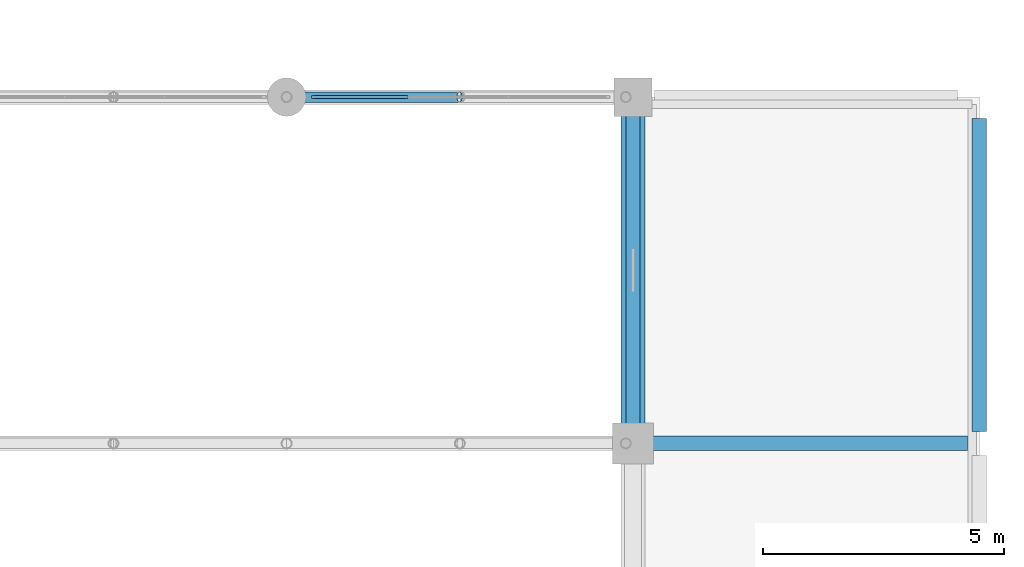
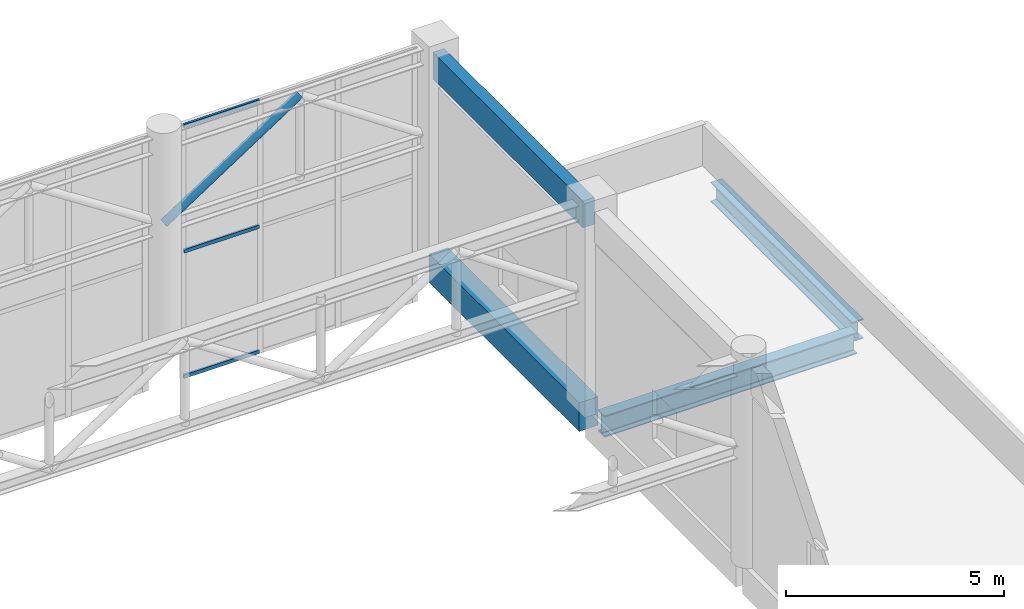
# One storey, part 107 of 153: 4 beams, 4 members, 1 element without a shape of its own.
"""IFC4 building model written with IfcOpenShell, lengths in metres."""

from ifc_helpers import new_model, si_unit, direction, frame, origin, origin_2d, place, context, subcontext, project, spatial, rectangle, hollow_rectangle, hollow_circle, i_section, extrude, material, material_profile, profile_set, type_object, element, aggregate, save


model = new_model("IFC4")

# Units and contexts
model_context = context("Model", 3, precision=1e-05, world=origin(), true_north=direction((0.0, 1.0)))
body_context = subcontext(model_context, "Body", "Model", "MODEL_VIEW")
ifc_project = project(units=[si_unit("LENGTHUNIT", "METRE"), si_unit("AREAUNIT", "SQUARE_METRE"), si_unit("VOLUMEUNIT", "CUBIC_METRE"), si_unit("PLANEANGLEUNIT", "RADIAN"), si_unit("MASSUNIT", "GRAM", prefix="KILO")], contexts=[model_context])

# Site, building, storey
site_placement = place(None, origin())
site = spatial("IfcSite", under=ifc_project, at=site_placement, CompositionType="ELEMENT")
building_placement = place(site_placement, origin())
building = spatial("IfcBuilding", under=site, at=building_placement, Name="Qandorah Velis Arena", CompositionType="ELEMENT")
storey_placement = place(building_placement, frame((0.0, 0.0, 5.39990234375)))
storey = spatial("IfcBuildingStorey", under=building, at=storey_placement, Name="L01", CompositionType="ELEMENT", Elevation=5.39990234375)

# Curtain wall, members
ifc_material_1 = material(Name="Solar-control low-E double glazing", Category="glass")
curtain_wall_type = type_object("IfcCurtainWallType", Name="ARC-CW-SYS20", PredefinedType="USERDEFINED", material=ifc_material_1)
curtain_wall_placement = place(storey_placement, origin())
curtain_wall = element("IfcCurtainWall", 1, at=curtain_wall_placement, inside=storey, type_object=curtain_wall_type, Name="Unitised curtain wall L01-164", ObjectType="UNITISED CURTAIN WALL", PredefinedType="USERDEFINED")
ifc_material_2 = material(Name="Champagne-bronze anodized aluminium 6063-T6", Category="aluminium")
ifc_material_profile_1 = material_profile(ifc_material_2, hollow_rectangle(XDim=0.054931640625, YDim=0.10009765625, WallThickness=0.0029296875, at=origin_2d()), Name="ALU TRANSOM 55x100")
ifc_profile_set_1 = profile_set([ifc_material_profile_1], Name="Champagne-bronze anodized aluminium 6063-T6")
member_type_1 = type_object("IfcMemberType", Name="ARC-CWT-100", PredefinedType="USERDEFINED", material=ifc_profile_set_1)
member_1_placement = place(storey_placement, frame((158.91796875, 122.39990234375, -1.2724609375), z_axis=(1.0, 0.0, 0.0), x_axis=(0.0, 1.0, 0.0)))
member_1 = element("IfcMember", 2, at=member_1_placement, type_object=member_type_1, Name="CW20 transom 1.1", ObjectType="TRANSOM", PredefinedType="USERDEFINED", context=body_context, shape_type="SweptSolid", body=[
    extrude(hollow_rectangle(XDim=0.054931640625, YDim=0.10009765625, WallThickness=0.0029296875, at=origin_2d()), origin(), (0.0, 0.0, 1.0), 2.00830078125),
])
member_2_placement = place(storey_placement, frame((158.91796875, 122.39990234375, 2.239990234375), z_axis=(1.0, 0.0, 0.0), x_axis=(0.0, 1.0, 0.0)))
member_2 = element("IfcMember", 3, at=member_2_placement, type_object=member_type_1, Name="CW20 transom 1.2", ObjectType="TRANSOM", PredefinedType="USERDEFINED", context=body_context, shape_type="SweptSolid", body=[
    extrude(hollow_rectangle(XDim=0.054931640625, YDim=0.10009765625, WallThickness=0.0029296875, at=origin_2d()), origin(), (0.0, 0.0, 1.0), 2.00830078125),
])
member_3_placement = place(storey_placement, frame((158.91796875, 122.39990234375, 5.752685546875), z_axis=(1.0, 0.0, 0.0), x_axis=(0.0, 1.0, 0.0)))
member_3 = element("IfcMember", 4, at=member_3_placement, type_object=member_type_1, Name="CW20 transom 1.3", ObjectType="TRANSOM", PredefinedType="USERDEFINED", context=body_context, shape_type="SweptSolid", body=[
    extrude(hollow_rectangle(XDim=0.054931640625, YDim=0.10009765625, WallThickness=0.0029296875, at=origin_2d()), origin(), (0.0, 0.0, 1.0), 2.00830078125),
])
aggregate(curtain_wall, [member_1, member_2, member_3])

# Beams
ifc_material_3 = material(Name="Steel S355", Category="steel")
ifc_material_profile_2 = material_profile(ifc_material_3, i_section(OverallWidth=0.300048828125, OverallDepth=0.550048828125, WebThickness=0.014892578125, FlangeThickness=0.029052734375, FilletRadius=0.027099609375, at=origin_2d()), Name="HEB 550")
ifc_profile_set_2 = profile_set([ifc_material_profile_2], Name="Steel S355")
beam_type_1 = type_object("IfcBeamType", Name="STR-BM-HEB550", PredefinedType="BEAM", material=ifc_profile_set_2)
beam_1_placement = place(storey_placement, frame((172.800048828125, 115.449951171875, -0.635009765625), z_axis=(0.0, 1.0, 0.0), x_axis=(-1.0, 0.0, 0.0)))
element("IfcBeam", 5, at=beam_1_placement, inside=storey, type_object=beam_type_1, Name="Primary floor girder L01 Y-430", PredefinedType="BEAM", context=body_context, shape_type="SweptSolid", body=[
    extrude(i_section(OverallWidth=0.300048828125, OverallDepth=0.550048828125, WebThickness=0.014892578125, FlangeThickness=0.029052734375, FilletRadius=0.027099609375, at=origin_2d()), origin(), (0.0, 0.0, 1.0), 6.5),
])
ifc_material_profile_3 = material_profile(ifc_material_3, i_section(OverallWidth=0.300048828125, OverallDepth=0.60009765625, WebThickness=0.015380859375, FlangeThickness=0.030029296875, FilletRadius=0.027099609375, at=origin_2d()), Name="HEB 600")
ifc_profile_set_3 = profile_set([ifc_material_profile_3], Name="Steel S355")
beam_type_2 = type_object("IfcBeamType", Name="STR-BM-HEB600", PredefinedType="BEAM", material=ifc_profile_set_3)
beam_2_placement = place(storey_placement, frame((165.85009765625, 115.199951171875, -0.659912109375), z_axis=(1.0, 0.0, 0.0), x_axis=(0.0, 1.0, 0.0)))
element("IfcBeam", 6, at=beam_2_placement, inside=storey, type_object=beam_type_2, Name="Primary floor girder L01 X-186", PredefinedType="BEAM", context=body_context, shape_type="SweptSolid", body=[
    extrude(i_section(OverallWidth=0.300048828125, OverallDepth=0.60009765625, WebThickness=0.015380859375, FlangeThickness=0.030029296875, FilletRadius=0.027099609375, at=origin_2d()), origin(), (0.0, 0.0, 1.0), 6.699951171875),
])
ifc_material_4 = material(Name="Concrete C40/50", Category="concrete")
ifc_material_profile_4 = material_profile(ifc_material_4, rectangle(XDim=0.5, YDim=0.800048828125, at=origin_2d()), Name="RC BM 500x800")
ifc_profile_set_4 = profile_set([ifc_material_profile_4], Name="Concrete C40/50")
beam_type_3 = type_object("IfcBeamType", Name="STR-RCBM-500X800", PredefinedType="BEAM", material=ifc_profile_set_4)
beam_3_placement = place(storey_placement, frame((165.60009765625, 115.35009765625, -0.39990234375), z_axis=(0.0, 1.0, 0.0), x_axis=(-1.0, 0.0, 0.0)))
element("IfcBeam", 7, at=beam_3_placement, inside=storey, type_object=beam_type_3, Name="Practice hall mid-level spandrel beam SPB-M04", PredefinedType="BEAM", context=body_context, shape_type="SweptSolid", body=[
    extrude(rectangle(XDim=0.5, YDim=0.800048828125, at=origin_2d()), origin(), (0.0, 0.0, 1.0), 6.89990234375),
])

# Member
ifc_material_profile_5 = material_profile(ifc_material_3, hollow_circle(Radius=0.109619140625, WallThickness=0.010009765625, at=origin_2d()), Name="CHS 219.1x10")
ifc_profile_set_5 = profile_set([ifc_material_profile_5], Name="Steel S355")
member_type_2 = type_object("IfcMemberType", Name="STR-SFD-CHS219X10", PredefinedType="STRUT", material=ifc_profile_set_5)
member_4_placement = place(storey_placement, frame((158.39990234375, 122.39990234375, 3.205078125), z_axis=(0.837375540217, 0.0, 0.546628031339), x_axis=(0.0, 1.0, 0.0)))
element("IfcMember", 8, at=member_4_placement, inside=storey, type_object=member_type_2, Name="Practice court roof truss 5 web diagonal 11", PredefinedType="STRUT", context=body_context, shape_type="SweptSolid", body=[
    extrude(hollow_circle(Radius=0.109619140625, WallThickness=0.010009765625, at=origin_2d()), origin(), (0.0, 0.0, 1.0), 4.29931640625),
])

# Beam
ifc_material_profile_6 = material_profile(ifc_material_4, rectangle(XDim=0.300048828125, YDim=0.75, at=origin_2d()), Name="RC SPANDREL 300x750")
ifc_profile_set_6 = profile_set([ifc_material_profile_6], Name="Concrete C40/50")
beam_type_4 = type_object("IfcBeamType", Name="STR-SPN-300X750", PredefinedType="SPANDREL", material=ifc_profile_set_6)
beam_4_placement = place(storey_placement, frame((165.60009765625, 115.35009765625, 5.25), z_axis=(0.0, 1.0, 0.0), x_axis=(-1.0, 0.0, 0.0)))
element("IfcBeam", 9, at=beam_4_placement, inside=storey, type_object=beam_type_4, Name="Practice hall east spandrel beam SPB-04", PredefinedType="SPANDREL", context=body_context, shape_type="SweptSolid", body=[
    extrude(rectangle(XDim=0.300048828125, YDim=0.75, at=origin_2d()), origin(), (0.0, 0.0, 1.0), 6.89990234375),
])

save(model, "model.ifc")
